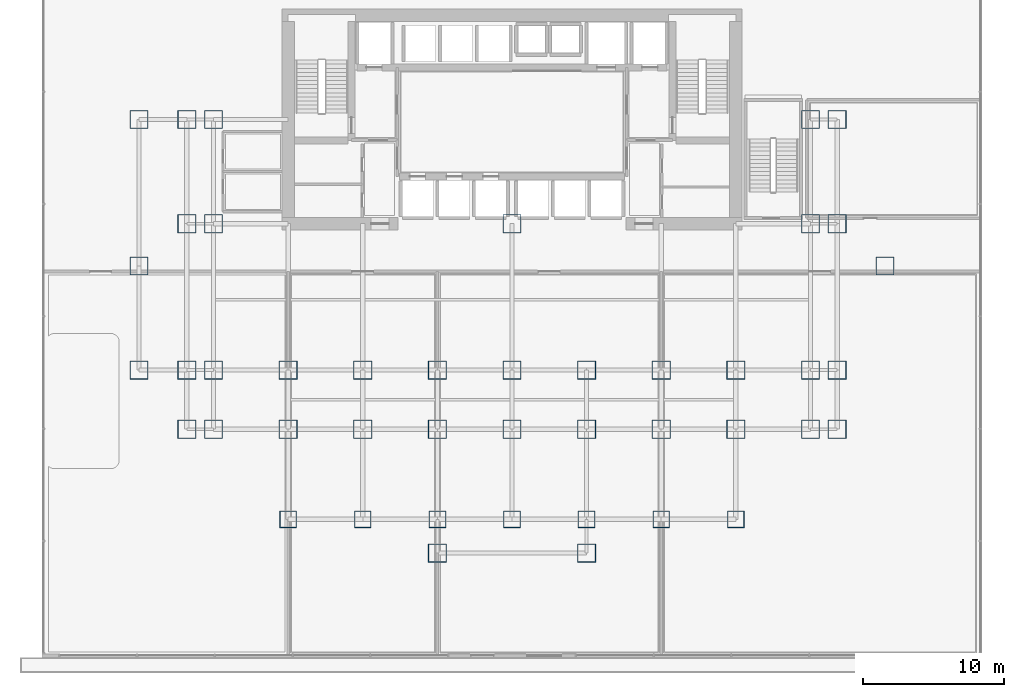
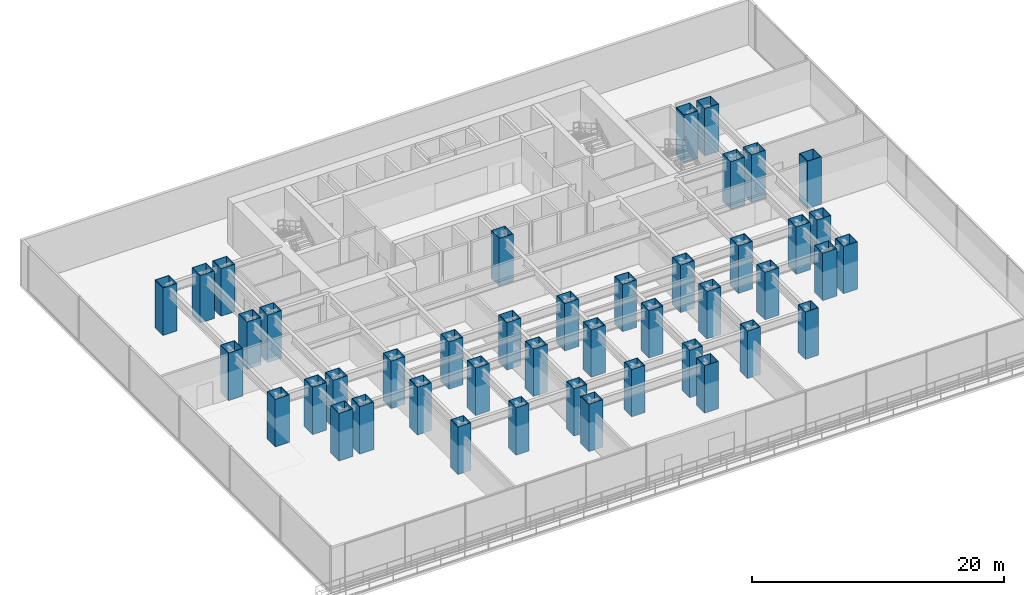
# One storey, part 1 of 13: 44 columns.
"""IFC4 building model written with IfcOpenShell, lengths in metres."""

import ifcopenshell
import ifcopenshell.guid

model = None  # the IFC model being written
_history = None  # IfcOwnerHistory: only IFC2X3 demands one
_inside = {}  # id of a spatial element -> (the spatial element, [elements in it])
_under = {}  # id of a project, library or spatial element -> (it, [spatial elements below it])
_declared = {}  # id of a project -> (the project, [libraries it declares])
_typed = {}  # id of a type object -> (the type object, [elements of that type])
_made_of = {}  # id of a material, layer set ... -> (it, [elements and type objects made of it])


def new_model(schema):
    """Start an empty IFC model of exactly this schema.

    Asked for "IFC4X3", IfcOpenShell would pick the latest addendum, in which some entities
    have other attributes; the version numbers below select the first issue.
    IFC2X3 requires an IfcOwnerHistory on every rooted entity: one is made here for all.
    """
    global model, _history
    if schema == "IFC4X3":
        model = ifcopenshell.file(schema_version=(4, 3, 0, 0))
    else:
        model = ifcopenshell.file(schema=schema)
    _inside.clear()
    _under.clear()
    _declared.clear()
    _typed.clear()
    _made_of.clear()
    _history = None
    if model.schema == "IFC2X3":
        org = make("IfcOrganization", Name="unknown")
        user = make(
            "IfcPersonAndOrganization",
            ThePerson=make("IfcPerson", FamilyName="unknown"),
            TheOrganization=org,
        )
        app = make(
            "IfcApplication",
            ApplicationDeveloper=org,
            Version="unknown",
            ApplicationFullName="unknown",
            ApplicationIdentifier="unknown",
        )
        _history = make(
            "IfcOwnerHistory",
            OwningUser=user,
            OwningApplication=app,
            ChangeAction="ADDED",
            CreationDate=0,
        )
    return model


def make(cls, **values):
    """One entity of the class cls with the attributes given. An attribute that is None is left unset."""
    return model.create_entity(
        cls, **{name: value for name, value in values.items() if value is not None}
    )


def rooted(cls, **values):
    """An entity with a GlobalId (a new one), such as an element, a storey or a relation."""
    return make(cls, GlobalId=ifcopenshell.guid.new(), OwnerHistory=_history, **values)


def si_unit(unit_type, name, prefix=None):
    """IfcSIUnit, for example si_unit("LENGTHUNIT", "METRE", prefix="MILLI")."""
    return make("IfcSIUnit", UnitType=unit_type, Prefix=prefix, Name=name)


def assignment(units):
    """IfcUnitAssignment: the units of a project."""
    return None if units is None else make("IfcUnitAssignment", Units=units)


def point(xyz):
    """IfcCartesianPoint."""
    return None if xyz is None else make("IfcCartesianPoint", Coordinates=xyz)


def direction(xyz):
    """IfcDirection."""
    return None if xyz is None else make("IfcDirection", DirectionRatios=xyz)


def frame(location, z_axis=None, x_axis=None):
    """IfcAxis2Placement3D, a coordinate frame: its origin and axes. An axis left out is left unset."""
    return make(
        "IfcAxis2Placement3D",
        Location=point(location),
        Axis=direction(z_axis),
        RefDirection=direction(x_axis),
    )


def frame_2d(location, x_axis=None):
    """IfcAxis2Placement2D, a coordinate frame in the plane: its origin and x axis."""
    return make(
        "IfcAxis2Placement2D", Location=point(location), RefDirection=direction(x_axis)
    )


def origin():
    """The frame at (0, 0, 0) with its axes left unset."""
    return frame((0.0, 0.0, 0.0))


def origin_2d():
    """The frame at (0, 0) in the plane with its x axis left unset."""
    return frame_2d((0.0, 0.0))


def place(relative_to, where):
    """IfcLocalPlacement: puts the frame where relative to a parent placement (None: the world)."""
    return make(
        "IfcLocalPlacement", PlacementRelTo=relative_to, RelativePlacement=where
    )


def context(
    kind, dimensions, precision=None, world=None, true_north=None, identifier=None
):
    """IfcGeometricRepresentationContext, for example the 3D "Model" context."""
    return make(
        "IfcGeometricRepresentationContext",
        ContextIdentifier=identifier,
        ContextType=kind,
        CoordinateSpaceDimension=dimensions,
        Precision=precision,
        WorldCoordinateSystem=world,
        TrueNorth=true_north,
    )


def subcontext(parent, identifier, kind, view, scale=None):
    """IfcGeometricRepresentationSubContext, for example "Body" below "Model"."""
    return make(
        "IfcGeometricRepresentationSubContext",
        ContextIdentifier=identifier,
        ContextType=kind,
        ParentContext=parent,
        TargetScale=scale,
        TargetView=view,
    )


def project(units=None, contexts=None):
    """IfcProject with its units and contexts."""
    return rooted(
        "IfcProject",
        Name="project",
        RepresentationContexts=contexts,
        UnitsInContext=assignment(units),
    )


def spatial(cls, under=None, at=None, **own):
    """A site, building, storey or space (cls), placed at a placement, below another one or the project."""
    s = rooted(cls, ObjectPlacement=at, **own)
    if under is not None:
        _under.setdefault(under.id(), (under, []))[1].append(s)
    return s


def profile(cls, at=None, kind="AREA", **sizes):
    """A parametric profile (cls). Its sizes go by their IFC names, for example OverallWidth=200.0."""
    return make(cls, ProfileType=kind, Position=at, **sizes)


def hollow_rectangle(**sizes):
    """IfcRectangleHollowProfileDef."""
    return profile("IfcRectangleHollowProfileDef", **sizes)


def extrude(swept, where, along, depth):
    """IfcExtrudedAreaSolid: the profile swept, set in the frame where, extruded along a direction by depth."""
    return make(
        "IfcExtrudedAreaSolid",
        SweptArea=swept,
        Position=where,
        ExtrudedDirection=direction(along),
        Depth=depth,
    )


def shape(context_of_items, identifier, shape_type, items):
    """IfcShapeRepresentation: the items that make up one representation, for example the "Body"."""
    return make(
        "IfcShapeRepresentation",
        ContextOfItems=context_of_items,
        RepresentationIdentifier=identifier,
        RepresentationType=shape_type,
        Items=items,
    )


def material(Name=None, Category=None):
    """IfcMaterial."""
    return make("IfcMaterial", Name=Name, Category=Category)


def material_profile(
    of_material, cross_section, Name=None, Category=None, Priority=None
):
    """IfcMaterialProfile: a cross section and its material."""
    return make(
        "IfcMaterialProfile",
        Name=Name,
        Material=of_material,
        Profile=cross_section,
        Priority=Priority,
        Category=Category,
    )


def profile_set(profiles, Name=None, composite=None):
    """IfcMaterialProfileSet."""
    return make(
        "IfcMaterialProfileSet",
        Name=Name,
        MaterialProfiles=profiles,
        CompositeProfile=composite,
    )


def made_of(thing, what):
    """Note that an element or type object is made of a material, layer set ...; save() writes the relation."""
    if what is not None:
        _made_of.setdefault(what.id(), (what, []))[1].append(thing)
    return thing


def type_object(cls, material=None, **own):
    """A type object (cls), such as IfcWallType, which elements share."""
    return made_of(rooted(cls, **own), material)


def element(
    cls,
    number,
    at=None,
    inside=None,
    cuts=None,
    type_object=None,
    material=None,
    context=None,
    identifier="Body",
    shape_type=None,
    held_by="IfcProductDefinitionShape",
    body=None,
    shapes=None,
    **own,
):
    """One element of the class cls, such as IfcWall. Its Tag is "e" and its number.

    at: its placement. inside: the storey or other place that contains it. cuts: it is an
    opening in that element (IfcRelVoidsElement). A single representation is given by context,
    identifier, shape_type and body (its items); several are given by shapes. held_by: the class
    of the entity that holds the representations. save() writes the other relations.
    """
    e = rooted(cls, Tag="e%d" % number, ObjectPlacement=at, **own)
    if body is not None:
        shapes = [shape(context, identifier, shape_type, body)]
    if shapes is not None:
        e.Representation = make(held_by, Representations=shapes)
    if inside is not None:
        _inside.setdefault(inside.id(), (inside, []))[1].append(e)
    if cuts is not None:
        rooted(
            "IfcRelVoidsElement", RelatingBuildingElement=cuts, RelatedOpeningElement=e
        )
    if type_object is not None:
        _typed.setdefault(type_object.id(), (type_object, []))[1].append(e)
    return made_of(e, material)


def aggregate(whole, parts):
    """IfcRelAggregates: a whole, such as a stair, and the parts it consists of."""
    return rooted("IfcRelAggregates", RelatingObject=whole, RelatedObjects=parts)


def save(model, path):
    """Write the relations noted so far, then the file.

    IfcRelAggregates (storeys below a building ...), IfcRelContainedInSpatialStructure (elements
    in a storey), IfcRelDefinesByType, IfcRelAssociatesMaterial and IfcRelDeclares: one each for
    every whole, place, type object, material and project.
    """
    for whole, parts in _under.values():
        aggregate(whole, parts)
    for where, things in _inside.values():
        rooted(
            "IfcRelContainedInSpatialStructure",
            RelatedElements=things,
            RelatingStructure=where,
        )
    for kind, things in _typed.values():
        rooted("IfcRelDefinesByType", RelatedObjects=things, RelatingType=kind)
    for what, things in _made_of.values():
        rooted("IfcRelAssociatesMaterial", RelatedObjects=things, RelatingMaterial=what)
    for by, libraries in _declared.values():
        rooted("IfcRelDeclares", RelatingContext=by, RelatedDefinitions=libraries)
    model.write(path)


model = new_model("IFC4")

# Units and contexts
model_context = context("Model", 3, precision=1e-05, world=origin(), true_north=direction((0.0, 1.0)))
body_context = subcontext(model_context, "Body", "Model", "MODEL_VIEW")
ifc_project = project(units=[si_unit("LENGTHUNIT", "METRE"), si_unit("AREAUNIT", "SQUARE_METRE"), si_unit("VOLUMEUNIT", "CUBIC_METRE"), si_unit("PLANEANGLEUNIT", "RADIAN"), si_unit("MASSUNIT", "GRAM", prefix="KILO")], contexts=[model_context])

# Site, building, storey
site_placement = place(None, origin())
site = spatial("IfcSite", under=ifc_project, at=site_placement, CompositionType="ELEMENT")
building_placement = place(site_placement, origin())
building = spatial("IfcBuilding", under=site, at=building_placement, Name="Qianlan Lanfeng Residences", CompositionType="ELEMENT")
storey_placement = place(building_placement, frame((0.0, 0.0, 9.800048828125)))
storey = spatial("IfcBuildingStorey", under=building, at=storey_placement, Name="L02", CompositionType="ELEMENT", Elevation=9.800048828125)

# Columns
ifc_material = material(Name="Steel SM570 (420 MPa)", Category="steel")
ifc_material_profile_1 = material_profile(ifc_material, hollow_rectangle(XDim=1.300048828125, YDim=1.300048828125, WallThickness=0.0419921875, at=origin_2d()), Name="BOX 1300x1300x42")
ifc_profile_set_1 = profile_set([ifc_material_profile_1], Name="Steel SM570 (420 MPa)")
column_type_1 = type_object("IfcColumnType", Name="C-B1500", PredefinedType="COLUMN", material=ifc_profile_set_1)
for number, where, z_axis, x_axis, name in (
    (1, (21.199951171875, 1.800048828125, 0.0), (0.0, 0.0, 1.0), (1.0, 0.0, 0.0), "L02 Structural Column P_21.20_1.80"),
    (2, (31.800048828125, 1.800048828125, 0.0), (0.0, 0.0, 1.0), (1.0, 0.0, 0.0), "L02 Structural Column P_31.80_1.80"),
    (3, (26.5, 25.199951171875, 0.0), (0.0, 0.0, 1.0), (1.0, 0.0, 0.0), "L02 Structural Column CP_26.5_25.2"),
    (4, (10.60009765625, 14.800048828125, 0.0), (0.0, 0.0, 1.0), (1.0, 0.0, 0.0), "L02 Structural Column M_10.60_14.80"),
    (5, (10.60009765625, 10.60009765625, 0.0), (0.0, 0.0, 1.0), (1.0, 0.0, 0.0), "L02 Structural Column G_10.60_10.60"),
    (6, (15.89990234375, 14.800048828125, 0.0), (0.0, 0.0, 1.0), (1.0, 0.0, 0.0), "L02 Structural Column M_15.90_14.80"),
    (7, (15.89990234375, 10.60009765625, 0.0), (0.0, 0.0, 1.0), (1.0, 0.0, 0.0), "L02 Structural Column G_15.90_10.60"),
    (8, (21.199951171875, 14.800048828125, 0.0), (0.0, 0.0, 1.0), (1.0, 0.0, 0.0), "L02 Structural Column M_21.20_14.80"),
    (9, (21.199951171875, 10.60009765625, 0.0), (0.0, 0.0, 1.0), (1.0, 0.0, 0.0), "L02 Structural Column G_21.20_10.60"),
    (10, (26.5, 14.800048828125, 0.0), (0.0, 0.0, 1.0), (1.0, 0.0, 0.0), "L02 Structural Column M_26.50_14.80"),
    (11, (26.5, 10.60009765625, 0.0), (0.0, 0.0, 1.0), (1.0, 0.0, 0.0), "L02 Structural Column G_26.50_10.60"),
    (12, (31.800048828125, 14.800048828125, 0.0), (0.0, 0.0, 1.0), (1.0, 0.0, 0.0), "L02 Structural Column M_31.80_14.80"),
    (13, (31.800048828125, 10.60009765625, 0.0), (0.0, 0.0, 1.0), (1.0, 0.0, 0.0), "L02 Structural Column G_31.80_10.60"),
    (14, (37.10009765625, 14.800048828125, 0.0), (0.0, 0.0, 1.0), (1.0, 0.0, 0.0), "L02 Structural Column M_37.10_14.80"),
    (15, (37.10009765625, 10.60009765625, 0.0), (0.0, 0.0, 1.0), (1.0, 0.0, 0.0), "L02 Structural Column G_37.10_10.60"),
    (16, (42.39990234375, 14.800048828125, 0.0), (0.0, 0.0, 1.0), (1.0, 0.0, 0.0), "L02 Structural Column M_42.40_14.80"),
    (17, (42.39990234375, 10.60009765625, 0.0), (0.0, 0.0, 1.0), (1.0, 0.0, 0.0), "L02 Structural Column G_42.40_10.60"),
    (18, (3.39990234375, 10.60009765625, 0.0), (0.0, 0.0, 1.0), (1.0, 0.0, 0.0), "L02 Structural Column W_3.40_10.60"),
    (19, (3.39990234375, 14.800048828125, 0.0), (0.0, 0.0, 1.0), (1.0, 0.0, 0.0), "L02 Structural Column W_3.40_14.80"),
    (20, (3.39990234375, 25.199951171875, 0.0), (0.0, 0.0, 1.0), (1.0, 0.0, 0.0), "L02 Structural Column W_3.40_25.20"),
    (21, (3.39990234375, 32.60009765625, 0.0), (0.0, 0.0, 1.0), (1.0, 0.0, 0.0), "L02 Structural Column W_3.40_32.60"),
    (22, (5.300048828125, 10.60009765625, 0.0), (0.0, 0.0, 1.0), (1.0, 0.0, 0.0), "L02 Structural Column W_5.30_10.60"),
    (23, (5.300048828125, 14.800048828125, 0.0), (0.0, 0.0, 1.0), (1.0, 0.0, 0.0), "L02 Structural Column W_5.30_14.80"),
    (24, (5.300048828125, 25.199951171875, 0.0), (0.0, 0.0, 1.0), (1.0, 0.0, 0.0), "L02 Structural Column W_5.30_25.20"),
    (25, (5.300048828125, 32.60009765625, 0.0), (0.0, 0.0, 1.0), (1.0, 0.0, 0.0), "L02 Structural Column W_5.30_32.60"),
    (26, (47.699951171875, 10.60009765625, 0.0), (0.0, 0.0, 1.0), (1.0, 0.0, 0.0), "L02 Structural Column W_47.70_10.60"),
    (27, (47.699951171875, 14.800048828125, 0.0), (0.0, 0.0, 1.0), (1.0, 0.0, 0.0), "L02 Structural Column W_47.70_14.80"),
    (28, (47.699951171875, 25.199951171875, 0.0), (0.0, 0.0, 1.0), (1.0, 0.0, 0.0), "L02 Structural Column W_47.70_25.20"),
    (29, (47.699951171875, 32.60009765625, 0.0), (0.0, 0.0, 1.0), (1.0, 0.0, 0.0), "L02 Structural Column W_47.70_32.60"),
    (30, (49.60009765625, 10.60009765625, 0.0), (0.0, 0.0, 1.0), (1.0, 0.0, 0.0), "L02 Structural Column W_49.60_10.60"),
    (31, (49.60009765625, 14.800048828125, 0.0), (0.0, 0.0, 1.0), (1.0, 0.0, 0.0), "L02 Structural Column W_49.60_14.80"),
    (32, (49.60009765625, 25.199951171875, 0.0), (0.0, 0.0, 1.0), (1.0, 0.0, 0.0), "L02 Structural Column W_49.60_25.20"),
    (33, (49.60009765625, 32.60009765625, 0.0), (0.0, 0.0, 1.0), (1.0, 0.0, 0.0), "L02 Structural Column W_49.60_32.60"),
    (34, (0.0, 14.800048828125, 0.0), (0.0, 0.0, 1.0), (1.0, 0.0, 0.0), "L02 Structural Column P_+0.0_+14.8"),
    (35, (0.0, 22.199951171875, 0.0), (0.0, 0.0, 1.0), (1.0, 0.0, 0.0), "L02 Structural Column P_+0.0_+22.2"),
    (36, (0.0, 32.60009765625, 0.0), (0.0, 0.0, 1.0), (1.0, 0.0, 0.0), "L02 Structural Column P_+0.0_+32.6"),
    (37, (53.0, 22.199951171875, 0.0), (0.0, 0.0, 1.0), (1.0, 0.0, 0.0), "L02 Structural Column P_+53.0_+22.2"),
):
    element("IfcColumn", number, at=place(storey_placement, frame(where, z_axis=z_axis, x_axis=x_axis)), inside=storey, type_object=column_type_1, Name=name, PredefinedType="COLUMN", context=body_context, shape_type="SweptSolid", body=[
        extrude(hollow_rectangle(XDim=1.300048828125, YDim=1.300048828125, WallThickness=0.0419921875, at=origin_2d()), origin(), (0.0, 0.0, 1.0), 4.599853515625),
    ])
ifc_material_profile_2 = material_profile(ifc_material, hollow_rectangle(XDim=1.199951171875, YDim=1.199951171875, WallThickness=0.0400390625, at=origin_2d()), Name="BOX 1200x1200x40")
ifc_profile_set_2 = profile_set([ifc_material_profile_2], Name="Steel SM570 (420 MPa)")
column_type_2 = type_object("IfcColumnType", Name="CE-B1400", PredefinedType="COLUMN", material=ifc_profile_set_2)
for number, where, z_axis, x_axis, name in (
    (38, (10.60009765625, 4.199951171875, 0.0), (0.0, 0.0, 1.0), (1.0, 0.0, 0.0), "L02 Structural Column S_10.60_4.20"),
    (39, (15.89990234375, 4.199951171875, 0.0), (0.0, 0.0, 1.0), (1.0, 0.0, 0.0), "L02 Structural Column S_15.90_4.20"),
    (40, (21.199951171875, 4.199951171875, 0.0), (0.0, 0.0, 1.0), (1.0, 0.0, 0.0), "L02 Structural Column S_21.20_4.20"),
    (41, (26.5, 4.199951171875, 0.0), (0.0, 0.0, 1.0), (1.0, 0.0, 0.0), "L02 Structural Column S_26.50_4.20"),
    (42, (31.800048828125, 4.199951171875, 0.0), (0.0, 0.0, 1.0), (1.0, 0.0, 0.0), "L02 Structural Column S_31.80_4.20"),
    (43, (37.10009765625, 4.199951171875, 0.0), (0.0, 0.0, 1.0), (1.0, 0.0, 0.0), "L02 Structural Column S_37.10_4.20"),
    (44, (42.39990234375, 4.199951171875, 0.0), (0.0, 0.0, 1.0), (1.0, 0.0, 0.0), "L02 Structural Column S_42.40_4.20"),
):
    element("IfcColumn", number, at=place(storey_placement, frame(where, z_axis=z_axis, x_axis=x_axis)), inside=storey, type_object=column_type_2, Name=name, PredefinedType="COLUMN", context=body_context, shape_type="SweptSolid", body=[
        extrude(hollow_rectangle(XDim=1.199951171875, YDim=1.199951171875, WallThickness=0.0400390625, at=origin_2d()), origin(), (0.0, 0.0, 1.0), 4.599853515625),
    ])

save(model, "model.ifc")
